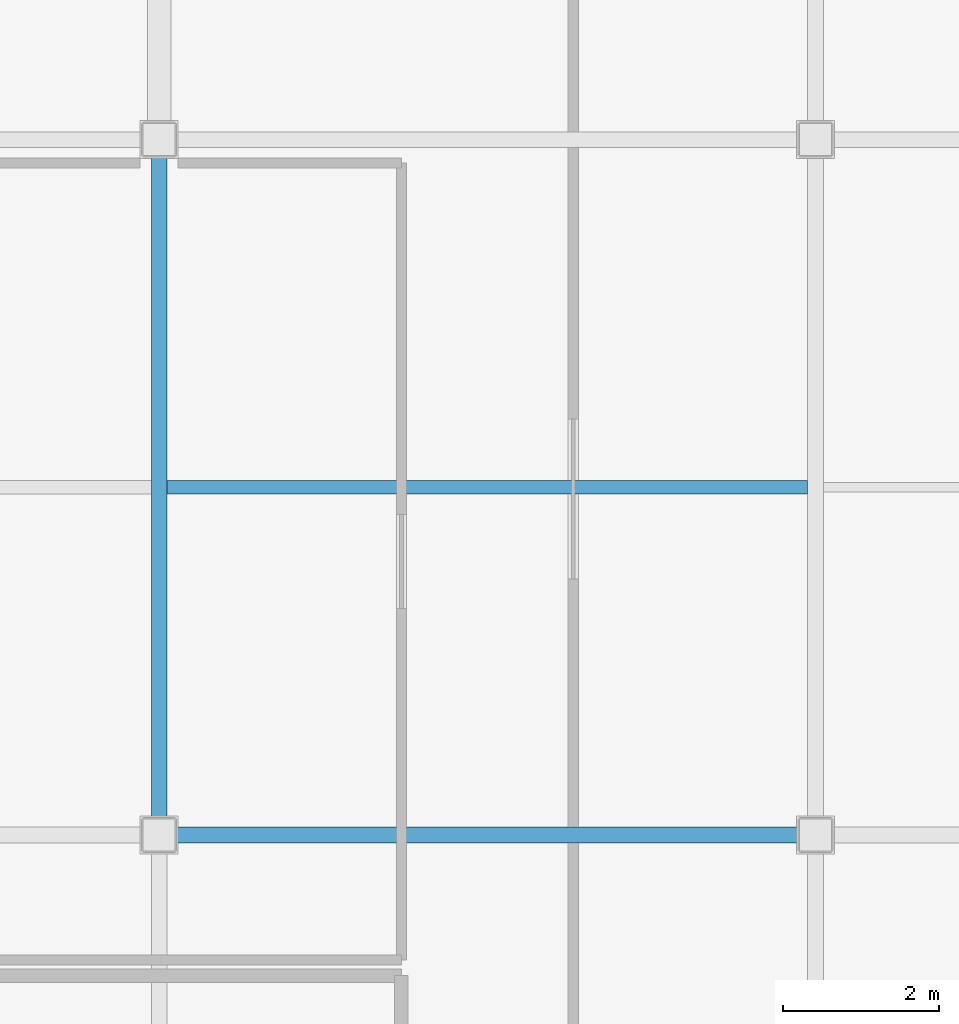
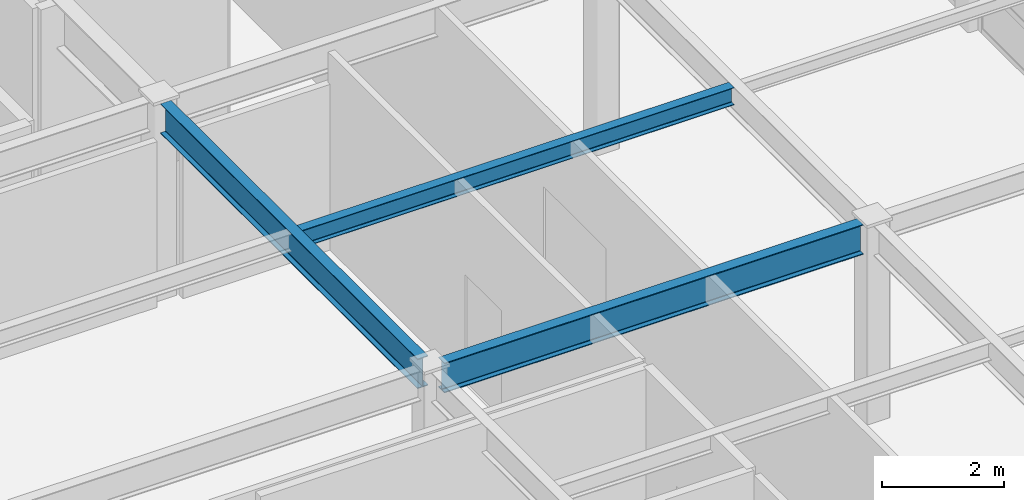
# One storey, part 10 of 34: 3 beams.
"""IFC4 building model written with IfcOpenShell, lengths in metres."""

from ifc_helpers import new_model, si_unit, direction, frame, origin, origin_2d, place, context, subcontext, project, spatial, i_section, extrude, material, material_profile, profile_set, type_object, element, save


model = new_model("IFC4")

# Units and contexts
model_context = context("Model", 3, precision=1e-05, world=origin(), true_north=direction((0.0, 1.0)))
body_context = subcontext(model_context, "Body", "Model", "MODEL_VIEW")
ifc_project = project(units=[si_unit("LENGTHUNIT", "METRE"), si_unit("AREAUNIT", "SQUARE_METRE"), si_unit("VOLUMEUNIT", "CUBIC_METRE"), si_unit("PLANEANGLEUNIT", "RADIAN"), si_unit("MASSUNIT", "GRAM", prefix="KILO")], contexts=[model_context])

# Site, building, storey
site_placement = place(None, origin())
site = spatial("IfcSite", under=ifc_project, at=site_placement, CompositionType="ELEMENT")
building_placement = place(site_placement, origin())
building = spatial("IfcBuilding", under=site, at=building_placement, Name="Kazehara Bluff Congress Hotel", CompositionType="ELEMENT")
storey_placement = place(building_placement, frame((0.0, 0.0, 46.199951171875)))
storey = spatial("IfcBuildingStorey", under=building, at=storey_placement, Name="L11", CompositionType="ELEMENT", Elevation=46.199951171875)

# Beams
ifc_material_1 = material(Name="Steel SN490B", Category="steel")
ifc_material_profile_1 = material_profile(ifc_material_1, i_section(OverallWidth=0.199951171875, OverallDepth=0.60009765625, WebThickness=0.010986328125, FlangeThickness=0.01708984375, FilletRadius=0.012939453125, at=origin_2d()))
ifc_profile_set_1 = profile_set([ifc_material_profile_1], Name="Steel SN490B")
beam_type_1 = type_object("IfcBeamType", Name="TP-G-02", PredefinedType="BEAM", material=ifc_profile_set_1)
beam_1_placement = place(storey_placement, frame((152.10009765625, 32.22509765625, 3.650146484375), z_axis=(0.0, 1.0, 0.0), x_axis=(-1.0, 0.0, 0.0)))
element("IfcBeam", 1, at=beam_1_placement, inside=storey, type_object=beam_type_1, Name="L11 girder G-02 10", PredefinedType="BEAM", context=body_context, shape_type="SweptSolid", body=[
    extrude(i_section(OverallWidth=0.199951171875, OverallDepth=0.60009765625, WebThickness=0.010986328125, FlangeThickness=0.01708984375, FilletRadius=0.012939453125, at=origin_2d()), origin(), (0.0, 0.0, 1.0), 8.449951171875),
])
beam_2_placement = place(storey_placement, frame((152.324951171875, 32.0, 3.650146484375), z_axis=(1.0, 0.0, 0.0), x_axis=(0.0, 1.0, 0.0)))
element("IfcBeam", 2, at=beam_2_placement, inside=storey, type_object=beam_type_1, Name="L11 girder G-02 32", PredefinedType="BEAM", context=body_context, shape_type="SweptSolid", body=[
    extrude(i_section(OverallWidth=0.199951171875, OverallDepth=0.60009765625, WebThickness=0.010986328125, FlangeThickness=0.01708984375, FilletRadius=0.012939453125, at=origin_2d()), origin(), (0.0, 0.0, 1.0), 7.949951171875),
])
ifc_material_2 = material(Name="Steel SN400B", Category="steel")
ifc_material_profile_2 = material_profile(ifc_material_2, i_section(OverallWidth=0.175048828125, OverallDepth=0.35009765625, WebThickness=0.007080078125, FlangeThickness=0.010986328125, FilletRadius=0.012939453125, at=origin_2d()))
ifc_profile_set_2 = profile_set([ifc_material_profile_2], Name="Steel SN400B")
beam_type_2 = type_object("IfcBeamType", Name="TP-J-02", PredefinedType="JOIST", material=ifc_profile_set_2)
beam_3_placement = place(storey_placement, frame((152.199951171875, 36.449951171875, 3.775146484375), z_axis=(1.0, 0.0, 0.0), x_axis=(0.0, 1.0, 0.0)))
element("IfcBeam", 3, at=beam_3_placement, inside=storey, type_object=beam_type_2, Name="L11 secondary joist J-02 6", PredefinedType="JOIST", context=body_context, shape_type="SweptSolid", body=[
    extrude(i_section(OverallWidth=0.175048828125, OverallDepth=0.35009765625, WebThickness=0.007080078125, FlangeThickness=0.010986328125, FilletRadius=0.012939453125, at=origin_2d()), origin(), (0.0, 0.0, 1.0), 8.199951171875),
])

save(model, "model.ifc")
